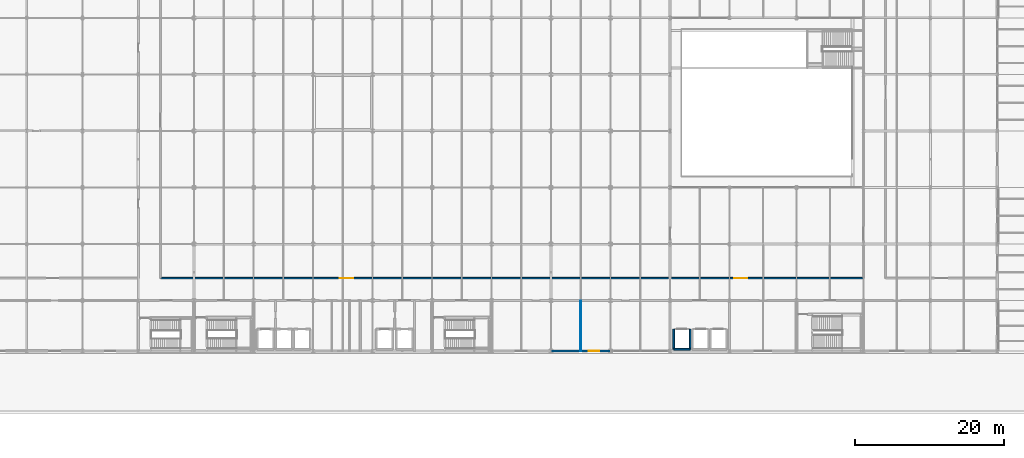
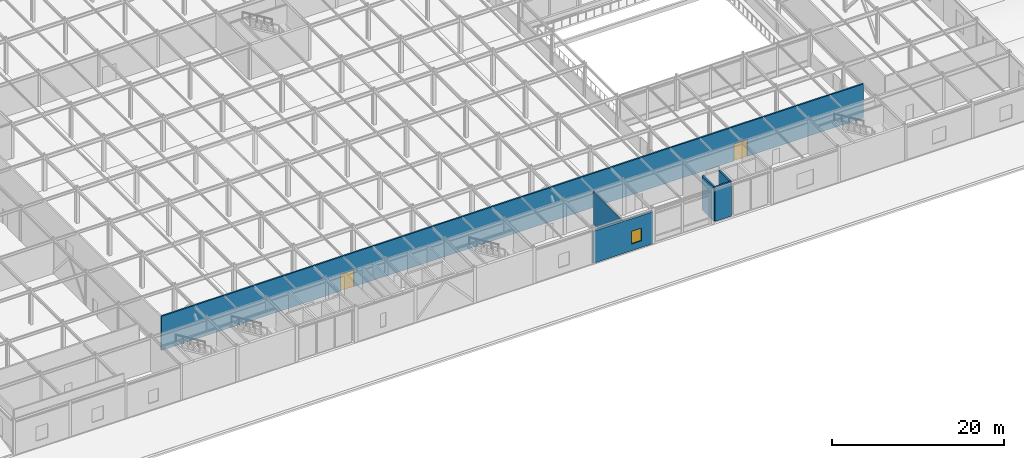
# One storey, part 98 of 113: 6 walls, 2 doors, 1 window, 3 openings.
"""IFC4 building model written with IfcOpenShell, lengths in metres."""

from ifc_helpers import new_model, si_unit, direction, frame, frame_2d, origin, place, context, subcontext, project, spatial, rectangle, extrude, material, layer, layer_set, type_object, element, fill, save


model = new_model("IFC4")

# Units and contexts
model_context = context("Model", 3, precision=1e-05, world=origin(), true_north=direction((0.0, 1.0)))
body_context = subcontext(model_context, "Body", "Model", "MODEL_VIEW")
ifc_project = project(units=[si_unit("LENGTHUNIT", "METRE"), si_unit("AREAUNIT", "SQUARE_METRE"), si_unit("VOLUMEUNIT", "CUBIC_METRE"), si_unit("PLANEANGLEUNIT", "RADIAN"), si_unit("MASSUNIT", "GRAM", prefix="KILO")], contexts=[model_context])

# Site, building, storey
site_placement = place(None, origin())
site = spatial("IfcSite", under=ifc_project, at=site_placement, CompositionType="ELEMENT")
building_placement = place(site_placement, origin())
building = spatial("IfcBuilding", under=site, at=building_placement, Name="Shalkamar Park Central Library", CompositionType="ELEMENT")
storey_placement = place(building_placement, frame((0.0, 0.0, 5.39990234375)))
storey = spatial("IfcBuildingStorey", under=building, at=storey_placement, Name="L02", CompositionType="ELEMENT", Elevation=5.39990234375)

# Wall, openings, doors
ifc_material_1 = material(Name="Fire-rated corridor partition wall", Category="masonry")
ifc_layer_1 = layer(ifc_material_1, 0.199951171875)
ifc_layer_set_1 = layer_set([ifc_layer_1], Name="CorridorFireWall_200")
wall_type_1 = type_object("IfcWallType", Name="Corridor Fire Wall 200", PredefinedType="PARTITIONING", material=ifc_layer_set_1)
wall_1_placement = place(storey_placement, frame((160.5, 258.199951171875, 0.0), z_axis=(0.0, 0.0, 1.0), x_axis=(1.0, 0.0, 0.0)))
wall_1 = element("IfcWall", 1, at=wall_1_placement, inside=storey, type_object=wall_type_1, Name="Interior Partition WL-INT-L02-025", PredefinedType="PARTITIONING", context=body_context, shape_type="SweptSolid", body=[
    extrude(rectangle(XDim=94.5, YDim=0.199951171875, at=frame_2d((47.25, 0.0))), origin(), (0.0, 0.0, 1.0), 4.860107421875),
])
opening_1_placement = place(wall_1_placement, frame((24.10009765625, 0.0, 0.0)))
opening_1 = element("IfcOpeningElement", 2, at=opening_1_placement, cuts=wall_1, Name="Opening DR-L02-027", PredefinedType="OPENING", context=body_context, shape_type="SweptSolid", body=[
    extrude(rectangle(XDim=1.800048828125, YDim=2.39990234375, at=frame_2d((0.89990234375, 1.199951171875))), frame((0.0, 0.11474609375, 0.0), z_axis=(0.0, -1.0, 0.0), x_axis=(1.0, 0.0, 0.0)), (0.0, 0.0, 1.0), 0.229736328125),
])
opening_2_placement = place(wall_1_placement, frame((77.10009765625, 0.0, 0.0)))
opening_2 = element("IfcOpeningElement", 3, at=opening_2_placement, cuts=wall_1, Name="Opening DR-L02-028", PredefinedType="OPENING", context=body_context, shape_type="SweptSolid", body=[
    extrude(rectangle(XDim=1.800048828125, YDim=2.39990234375, at=frame_2d((0.89990234375, 1.199951171875))), frame((0.0, 0.11474609375, 0.0), z_axis=(0.0, -1.0, 0.0), x_axis=(1.0, 0.0, 0.0)), (0.0, 0.0, 1.0), 0.229736328125),
])
ifc_material_2 = material(Name="Steel S355", Category="steel")
door_type = type_object("IfcDoorType", Name="Interior Door Double 1800x2400", OperationType="DOUBLE_DOOR_SINGLE_SWING", PredefinedType="DOOR", material=ifc_material_2)
door_1_placement = place(opening_1_placement, origin())
door_1 = element("IfcDoor", 4, at=door_1_placement, inside=storey, type_object=door_type, Name="Open Reference Stacks South Door", OperationType="DOUBLE_DOOR_SINGLE_SWING", OverallHeight=2.39990234375, OverallWidth=1.800048828125, PredefinedType="DOOR", context=body_context, shape_type="SweptSolid", body=[
    extrude(rectangle(XDim=1.800048828125, YDim=2.39990234375, at=frame_2d((0.89990234375, 1.199951171875))), frame((0.0, 0.02490234375, 0.0), z_axis=(0.0, -1.0, 0.0), x_axis=(1.0, 0.0, 0.0)), (0.0, 0.0, 1.0), 0.050048828125),
])
fill(opening_1, door_1)
door_2_placement = place(opening_2_placement, origin())
door_2 = element("IfcDoor", 5, at=door_2_placement, inside=storey, type_object=door_type, Name="Atrium South Mezzanine Door", OperationType="DOUBLE_DOOR_SINGLE_SWING", OverallHeight=2.39990234375, OverallWidth=1.800048828125, PredefinedType="DOOR", context=body_context, shape_type="SweptSolid", body=[
    extrude(rectangle(XDim=1.800048828125, YDim=2.39990234375, at=frame_2d((0.89990234375, 1.199951171875))), frame((0.0, 0.02490234375, 0.0), z_axis=(0.0, -1.0, 0.0), x_axis=(1.0, 0.0, 0.0)), (0.0, 0.0, 1.0), 0.050048828125),
])
fill(opening_2, door_2)

# Walls
ifc_material_3 = material(Name="Concrete C40/50", Category="concrete")
ifc_layer_2 = layer(ifc_material_3, 0.219970703125)
ifc_layer_set_2 = layer_set([ifc_layer_2], Name="Concrete C40/50")
wall_type_2 = type_object("IfcWallType", Name="Lift Hoistway Shear Wall 220", PredefinedType="SHEAR", material=ifc_layer_set_2)
wall_2_placement = place(storey_placement, frame((229.5, 248.64990234375, 0.0), z_axis=(0.0, 0.0, 1.0), x_axis=(1.0, 0.0, 0.0)))
element("IfcWall", 6, at=wall_2_placement, inside=storey, type_object=wall_type_2, Name="Lift LP-01 Hoistway South Wall (L02)", PredefinedType="SHEAR", context=body_context, shape_type="SweptSolid", body=[
    extrude(rectangle(XDim=2.199951171875, YDim=0.219970703125, at=frame_2d((1.10009765625, 0.0))), origin(), (0.0, 0.0, 1.0), 4.860107421875),
])
for number, where, z_axis, x_axis, name in (
    (7, (229.5, 248.64990234375, 0.0), (0.0, 0.0, 1.0), (0.0, 1.0, 0.0), "Lift LP-01 Hoistway West Wall (L02)"),
    (8, (231.699951171875, 248.64990234375, 0.0), (0.0, 0.0, 1.0), (0.0, 1.0, 0.0), "Lift LP-01 Hoistway East Wall (L02)"),
):
    element("IfcWall", number, at=place(storey_placement, frame(where, z_axis=z_axis, x_axis=x_axis)), inside=storey, type_object=wall_type_2, Name=name, PredefinedType="SHEAR", context=body_context, shape_type="SweptSolid", body=[
        extrude(rectangle(XDim=2.7001953125, YDim=0.219970703125, at=frame_2d((1.35009765625, 0.0))), origin(), (0.0, 0.0, 1.0), 4.860107421875),
    ])
ifc_material_4 = material(Name="Lightweight acoustic stud partition", Category="masonry")
ifc_layer_3 = layer(ifc_material_4, 0.1201171875)
ifc_layer_set_3 = layer_set([ifc_layer_3], Name="StandardPartition_120")
wall_type_3 = type_object("IfcWallType", Name="Standard Partition 120", PredefinedType="PARTITIONING", material=ifc_layer_set_3)
wall_3_placement = place(storey_placement, frame((217.0, 248.39990234375, 0.0), z_axis=(0.0, 0.0, 1.0), x_axis=(0.0, 1.0, 0.0)))
element("IfcWall", 9, at=wall_3_placement, inside=storey, type_object=wall_type_3, Name="Interior Partition WL-INT-L02-015", PredefinedType="PARTITIONING", context=body_context, shape_type="SweptSolid", body=[
    extrude(rectangle(XDim=6.800048828125, YDim=0.1201171875, at=frame_2d((3.39990234375, 0.0))), origin(), (0.0, 0.0, 1.0), 4.6181640625),
])

# Wall, opening, window
ifc_material_5 = material(Name="Travertine insulated rainscreen", Category="masonry")
ifc_layer_4 = layer(ifc_material_5, 0.2900390625)
ifc_layer_set_4 = layer_set([ifc_layer_4], Name="TravertineTerracottaWall_290")
wall_type_4 = type_object("IfcWallType", Name="Travertine Terracotta Wall 290", PredefinedType="SOLIDWALL", material=ifc_layer_set_4)
wall_4_placement = place(storey_placement, frame((213.006103515625, 248.39990234375, 0.0), z_axis=(0.0, 0.0, 1.0), x_axis=(1.0, 0.0, 0.0)))
wall_4 = element("IfcWall", 10, at=wall_4_placement, inside=storey, type_object=wall_type_4, Name="Exterior Facade Wall WL-EXT-L02-061", PredefinedType="SOLIDWALL", context=body_context, shape_type="SweptSolid", body=[
    extrude(rectangle(XDim=7.98779296875, YDim=0.2900390625, at=frame_2d((3.993896484375, 0.0))), origin(), (0.0, 0.0, 1.0), 4.548095703125),
])
opening_3_placement = place(wall_4_placement, frame((5.091064453125, 0.0, 0.949951171875)))
opening_3 = element("IfcOpeningElement", 11, at=opening_3_placement, cuts=wall_4, Name="Opening WN-15", PredefinedType="OPENING", context=body_context, shape_type="SweptSolid", body=[
    extrude(rectangle(XDim=1.35009765625, YDim=1.800048828125, at=frame_2d((0.675048828125, 0.89990234375))), frame((0.0, 0.159912109375, 0.0), z_axis=(0.0, -1.0, 0.0), x_axis=(1.0, 0.0, 0.0)), (0.0, 0.0, 1.0), 0.31982421875),
])
ifc_material_6 = material(Name="Thermally broken aluminium and triple low-e glass", Category="glass")
window_type = type_object("IfcWindowType", Name="Tower Window 1350x1800", PartitioningType="SINGLE_PANEL", PredefinedType="WINDOW", material=ifc_material_6)
window_placement = place(opening_3_placement, origin())
window = element("IfcWindow", 12, at=window_placement, inside=storey, type_object=window_type, Name="Facade Window WN-L02-029", OverallHeight=1.800048828125, OverallWidth=1.35009765625, PartitioningType="SINGLE_PANEL", PredefinedType="WINDOW", context=body_context, shape_type="SweptSolid", body=[
    extrude(rectangle(XDim=1.35009765625, YDim=1.800048828125, at=frame_2d((0.675048828125, 0.89990234375))), frame((0.0, 0.030029296875, 0.0), z_axis=(0.0, -1.0, 0.0), x_axis=(1.0, 0.0, 0.0)), (0.0, 0.0, 1.0), 0.06005859375),
])
fill(opening_3, window)

save(model, "model.ifc")
